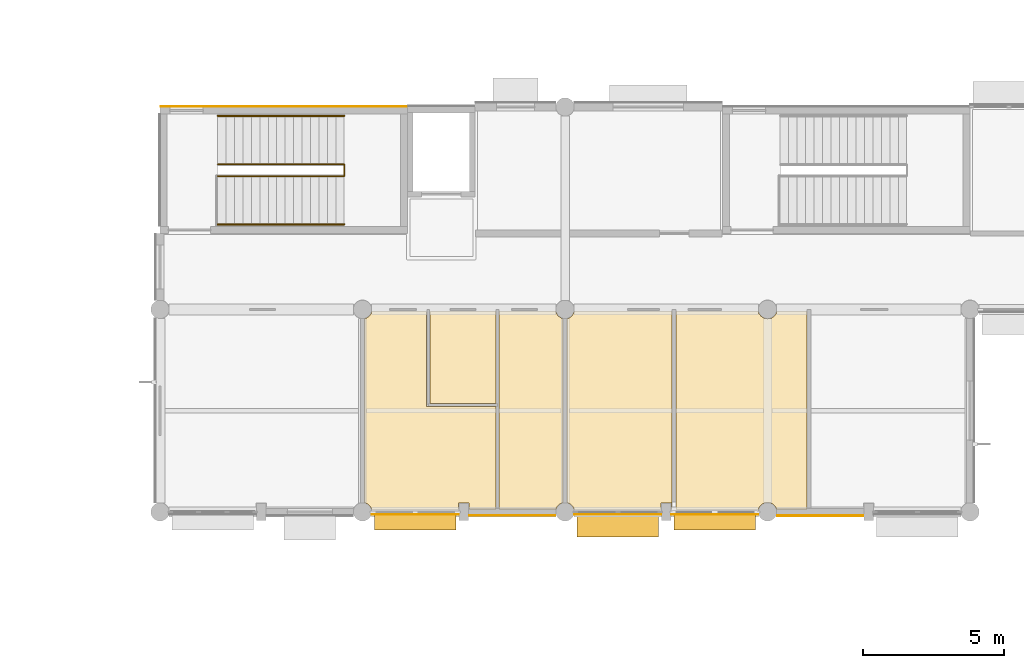
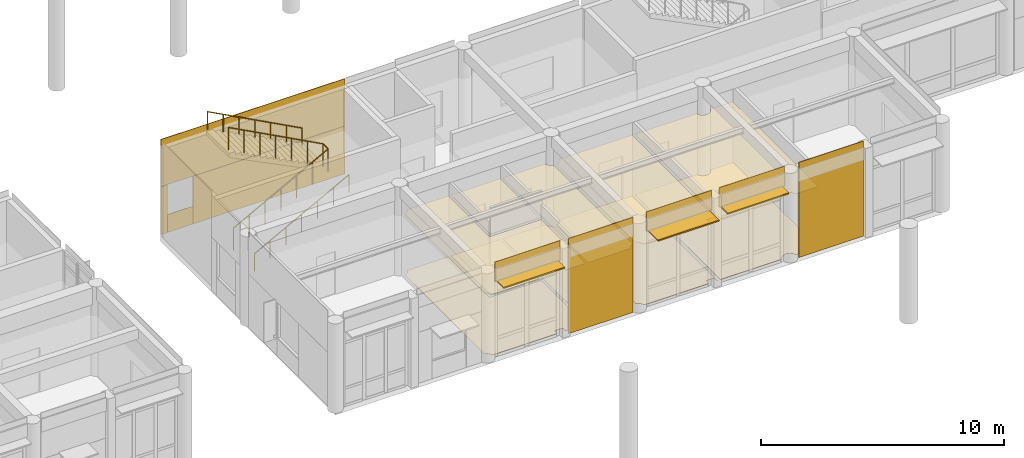
# One storey, part 74 of 92: 19 coverings, 3 railings, 3 shading devices.
"""IFC4 building model written with IfcOpenShell, lengths in metres."""

from ifc_helpers import new_model, si_unit, direction, frame, origin, origin_2d, place, context, subcontext, project, spatial, polyline, rectangle, circle, outline, extrude, material, layer, layer_set, type_object, element, save


model = new_model("IFC4")

# Units and contexts
model_context = context("Model", 3, precision=1e-05, world=origin(), true_north=direction((0.0, 1.0)))
body_context = subcontext(model_context, "Body", "Model", "MODEL_VIEW")
ifc_project = project(units=[si_unit("LENGTHUNIT", "METRE"), si_unit("AREAUNIT", "SQUARE_METRE"), si_unit("VOLUMEUNIT", "CUBIC_METRE"), si_unit("PLANEANGLEUNIT", "RADIAN"), si_unit("MASSUNIT", "GRAM", prefix="KILO")], contexts=[model_context])

# Site, building, storey
site_placement = place(None, origin())
site = spatial("IfcSite", under=ifc_project, at=site_placement, CompositionType="ELEMENT")
building_placement = place(site_placement, origin())
building = spatial("IfcBuilding", under=site, at=building_placement, Name="Namkhue Oval Health Centre", CompositionType="ELEMENT")
storey_placement = place(building_placement, frame((0.0, 0.0, 4.800048828125)))
storey = spatial("IfcBuildingStorey", under=building, at=storey_placement, Name="L01", CompositionType="ELEMENT", Elevation=4.800048828125)

# Coverings
ifc_material_1 = material(Name="Acoustic mineral-fibre cleanroom ceiling", Category="gypsum")
ifc_layer_1 = layer(ifc_material_1, 0.02001953125)
ifc_layer_set_1 = layer_set([ifc_layer_1], Name="Acoustic mineral-fibre cleanroom ceiling")
covering_type_1 = type_object("IfcCoveringType", Name="ACOUSTIC CLEANROOM CEILING 20", PredefinedType="CEILING", material=ifc_layer_set_1)
covering_1_placement = place(storey_placement, frame((0.0, 0.0, 3.050048828125)))
element("IfcCovering", 1, at=covering_1_placement, inside=storey, type_object=covering_type_1, Name="Acoustic Ceiling L01-502 Oral Surgery Clean Utility", PredefinedType="CEILING", context=body_context, shape_type="SweptSolid", body=[
    extrude(outline(polyline([(103.080078125, 21.52001953125), (103.080078125, 18.139892578125), (105.5400390625, 18.139892578125), (105.5400390625, 14.485107421875), (104.5849609375, 14.485107421875), (104.5849609375, 14.7099609375), (104.215087890625, 14.7099609375), (104.215087890625, 14.485107421875), (101.123779296875, 14.485107421875), (101.090087890625, 14.5673828125), (101.036865234375, 14.636962890625), (100.967529296875, 14.690185546875), (100.88671875, 14.7236328125), (100.8701171875, 14.725830078125), (100.8701171875, 21.274169921875), (100.88671875, 21.2763671875), (100.967529296875, 21.309814453125), (101.036865234375, 21.363037109375), (101.090087890625, 21.4326171875), (101.12451171875, 21.52001953125), (103.080078125, 21.52001953125)])), origin(), (0.0, 0.0, 1.0), 0.02001953125),
])
covering_2_placement = place(storey_placement, frame((0.0, 0.0, 3.050048828125)))
element("IfcCovering", 2, at=covering_2_placement, inside=storey, type_object=covering_type_1, Name="Acoustic Ceiling L01-503 Accessible WC", PredefinedType="CEILING", context=body_context, shape_type="SweptSolid", body=[
    extrude(outline(polyline([(103.199951171875, 18.260009765625), (103.199951171875, 21.52001953125), (105.5400390625, 21.52001953125), (105.5400390625, 18.260009765625), (103.199951171875, 18.260009765625)])), origin(), (0.0, 0.0, 1.0), 0.02001953125),
])
covering_3_placement = place(storey_placement, frame((0.0, 0.0, 3.050048828125)))
element("IfcCovering", 3, at=covering_3_placement, inside=storey, type_object=covering_type_1, Name="Acoustic Ceiling L01-504 Staff Washroom", PredefinedType="CEILING", context=body_context, shape_type="SweptSolid", body=[
    extrude(outline(polyline([(105.659912109375, 14.485107421875), (105.659912109375, 21.52001953125), (107.675537109375, 21.52001953125), (107.7099609375, 21.4326171875), (107.76318359375, 21.363037109375), (107.83251953125, 21.309814453125), (107.913330078125, 21.2763671875), (107.929931640625, 21.274169921875), (107.929931640625, 14.725830078125), (107.913330078125, 14.7236328125), (107.83251953125, 14.690185546875), (107.76318359375, 14.636962890625), (107.7099609375, 14.5673828125), (107.67626953125, 14.485107421875), (105.659912109375, 14.485107421875)])), origin(), (0.0, 0.0, 1.0), 0.02001953125),
])
covering_4_placement = place(storey_placement, frame((0.0, 0.0, 3.050048828125)))
element("IfcCovering", 4, at=covering_4_placement, inside=storey, type_object=covering_type_1, Name="Acoustic Ceiling L01-505 Dental Laboratory Room", PredefinedType="CEILING", context=body_context, shape_type="SweptSolid", body=[
    extrude(outline(polyline([(111.784912109375, 14.485107421875), (111.784912109375, 14.7099609375), (111.4150390625, 14.7099609375), (111.4150390625, 14.485107421875), (108.32373046875, 14.485107421875), (108.2900390625, 14.5673828125), (108.23681640625, 14.636962890625), (108.16748046875, 14.690185546875), (108.086669921875, 14.7236328125), (108.070068359375, 14.725830078125), (108.070068359375, 21.274169921875), (108.086669921875, 21.2763671875), (108.16748046875, 21.309814453125), (108.23681640625, 21.363037109375), (108.2900390625, 21.4326171875), (108.324462890625, 21.52001953125), (111.805908203125, 21.52001953125), (111.805908203125, 14.485107421875), (111.784912109375, 14.485107421875)])), origin(), (0.0, 0.0, 1.0), 0.02001953125),
])
covering_5_placement = place(storey_placement, frame((0.0, 0.0, 3.050048828125)))
element("IfcCovering", 5, at=covering_5_placement, inside=storey, type_object=covering_type_1, Name="Acoustic Ceiling L01-506 Prosthodontics Dental Clinic", PredefinedType="CEILING", context=body_context, shape_type="SweptSolid", body=[
    extrude(outline(polyline([(115.523681640625, 14.485107421875), (115.489990234375, 14.5673828125), (115.43701171875, 14.636962890625), (115.367431640625, 14.690185546875), (115.28662109375, 14.7236328125), (115.199951171875, 14.735107421875), (115.11328125, 14.7236328125), (115.032470703125, 14.690185546875), (114.963134765625, 14.636962890625), (114.909912109375, 14.5673828125), (114.876220703125, 14.485107421875), (111.946044921875, 14.485107421875), (111.946044921875, 21.52001953125), (114.87548828125, 21.52001953125), (114.909912109375, 21.4326171875), (114.963134765625, 21.363037109375), (115.032470703125, 21.309814453125), (115.11328125, 21.2763671875), (115.199951171875, 21.264892578125), (115.28662109375, 21.2763671875), (115.367431640625, 21.309814453125), (115.43701171875, 21.363037109375), (115.489990234375, 21.4326171875), (115.5244140625, 21.52001953125), (116.60498046875, 21.52001953125), (116.60498046875, 14.485107421875), (115.523681640625, 14.485107421875)])), origin(), (0.0, 0.0, 1.0), 0.02001953125),
])
ifc_material_2 = material(Name="Homogeneous anti-bacterial clinical vinyl flooring", Category="plastic")
ifc_layer_2 = layer(ifc_material_2, 0.014892578125)
ifc_layer_set_2 = layer_set([ifc_layer_2], Name="Homogeneous anti-bacterial clinical vinyl flooring")
covering_type_2 = type_object("IfcCoveringType", Name="CLINICAL ANTIBACTERIAL VINYL FLOORING 15", PredefinedType="FLOORING", material=ifc_layer_set_2)
covering_6_placement = place(storey_placement, origin())
element("IfcCovering", 6, at=covering_6_placement, inside=storey, type_object=covering_type_2, Name="Clinical Flooring L01-502 Oral Surgery Clean Utility", PredefinedType="FLOORING", context=body_context, shape_type="SweptSolid", body=[
    extrude(outline(polyline([(103.080078125, 21.52001953125), (103.080078125, 18.139892578125), (105.5400390625, 18.139892578125), (105.5400390625, 14.485107421875), (104.5849609375, 14.485107421875), (104.5849609375, 14.7099609375), (104.215087890625, 14.7099609375), (104.215087890625, 14.485107421875), (101.123779296875, 14.485107421875), (101.090087890625, 14.5673828125), (101.036865234375, 14.636962890625), (100.967529296875, 14.690185546875), (100.88671875, 14.7236328125), (100.8701171875, 14.725830078125), (100.8701171875, 21.274169921875), (100.88671875, 21.2763671875), (100.967529296875, 21.309814453125), (101.036865234375, 21.363037109375), (101.090087890625, 21.4326171875), (101.12451171875, 21.52001953125), (103.080078125, 21.52001953125)])), origin(), (0.0, 0.0, 1.0), 0.014892578125),
])
covering_7_placement = place(storey_placement, origin())
element("IfcCovering", 7, at=covering_7_placement, inside=storey, type_object=covering_type_2, Name="Clinical Flooring L01-503 Accessible WC", PredefinedType="FLOORING", context=body_context, shape_type="SweptSolid", body=[
    extrude(outline(polyline([(103.199951171875, 18.260009765625), (103.199951171875, 21.52001953125), (105.5400390625, 21.52001953125), (105.5400390625, 18.260009765625), (103.199951171875, 18.260009765625)])), origin(), (0.0, 0.0, 1.0), 0.014892578125),
])
covering_8_placement = place(storey_placement, origin())
element("IfcCovering", 8, at=covering_8_placement, inside=storey, type_object=covering_type_2, Name="Clinical Flooring L01-504 Staff Washroom", PredefinedType="FLOORING", context=body_context, shape_type="SweptSolid", body=[
    extrude(outline(polyline([(105.659912109375, 14.485107421875), (105.659912109375, 21.52001953125), (107.675537109375, 21.52001953125), (107.7099609375, 21.4326171875), (107.76318359375, 21.363037109375), (107.83251953125, 21.309814453125), (107.913330078125, 21.2763671875), (107.929931640625, 21.274169921875), (107.929931640625, 14.725830078125), (107.913330078125, 14.7236328125), (107.83251953125, 14.690185546875), (107.76318359375, 14.636962890625), (107.7099609375, 14.5673828125), (107.67626953125, 14.485107421875), (105.659912109375, 14.485107421875)])), origin(), (0.0, 0.0, 1.0), 0.014892578125),
])
covering_9_placement = place(storey_placement, origin())
element("IfcCovering", 9, at=covering_9_placement, inside=storey, type_object=covering_type_2, Name="Clinical Flooring L01-505 Dental Laboratory Room", PredefinedType="FLOORING", context=body_context, shape_type="SweptSolid", body=[
    extrude(outline(polyline([(111.784912109375, 14.485107421875), (111.784912109375, 14.7099609375), (111.4150390625, 14.7099609375), (111.4150390625, 14.485107421875), (108.32373046875, 14.485107421875), (108.2900390625, 14.5673828125), (108.23681640625, 14.636962890625), (108.16748046875, 14.690185546875), (108.086669921875, 14.7236328125), (108.070068359375, 14.725830078125), (108.070068359375, 21.274169921875), (108.086669921875, 21.2763671875), (108.16748046875, 21.309814453125), (108.23681640625, 21.363037109375), (108.2900390625, 21.4326171875), (108.324462890625, 21.52001953125), (111.805908203125, 21.52001953125), (111.805908203125, 14.485107421875), (111.784912109375, 14.485107421875)])), origin(), (0.0, 0.0, 1.0), 0.014892578125),
])
covering_10_placement = place(storey_placement, origin())
element("IfcCovering", 10, at=covering_10_placement, inside=storey, type_object=covering_type_2, Name="Clinical Flooring L01-506 Prosthodontics Dental Clinic", PredefinedType="FLOORING", context=body_context, shape_type="SweptSolid", body=[
    extrude(outline(polyline([(115.523681640625, 14.485107421875), (115.489990234375, 14.5673828125), (115.43701171875, 14.636962890625), (115.367431640625, 14.690185546875), (115.28662109375, 14.7236328125), (115.199951171875, 14.735107421875), (115.11328125, 14.7236328125), (115.032470703125, 14.690185546875), (114.963134765625, 14.636962890625), (114.909912109375, 14.5673828125), (114.876220703125, 14.485107421875), (111.946044921875, 14.485107421875), (111.946044921875, 21.52001953125), (114.87548828125, 21.52001953125), (114.909912109375, 21.4326171875), (114.963134765625, 21.363037109375), (115.032470703125, 21.309814453125), (115.11328125, 21.2763671875), (115.199951171875, 21.264892578125), (115.28662109375, 21.2763671875), (115.367431640625, 21.309814453125), (115.43701171875, 21.363037109375), (115.489990234375, 21.4326171875), (115.5244140625, 21.52001953125), (116.60498046875, 21.52001953125), (116.60498046875, 14.485107421875), (115.523681640625, 14.485107421875)])), origin(), (0.0, 0.0, 1.0), 0.014892578125),
])

# Railings
ifc_material_3 = material(Name="Brushed stainless steel 316L balustrade with laminated glass infill", Category="steel")
railing_type_1 = type_object("IfcRailingType", Name="INTERIOR BALUSTRADE GUARD 1150", PredefinedType="BALUSTRADE", material=ifc_material_3)
railing_1_placement = place(storey_placement, frame((95.64990234375, 26.340087890625, 0.0)))
element("IfcRailing", 11, at=railing_1_placement, inside=storey, type_object=railing_type_1, Name="Stair ST-09 L01 Inner Well Guard", PredefinedType="BALUSTRADE", context=body_context, shape_type="SweptSolid", body=[
    extrude(circle(Radius=0.02392578125, at=origin_2d()), frame((0.0, 0.0, 1.1259765625), z_axis=(0.882360891967, 0.0, 0.470573327259), x_axis=(0.0, 1.0, 0.0)), (0.0, 0.0, 1.0), 5.099853515625),
    extrude(circle(Radius=0.02392578125, at=origin_2d()), frame((4.5, 0.0, 3.52587890625), z_axis=(0.0, 1.0, 0.0), x_axis=(-1.0, 0.0, 0.0)), (0.0, 0.0, 1.0), 0.419921875),
    extrude(circle(Radius=0.02392578125, at=origin_2d()), frame((4.5, 0.419921875, 3.52587890625), z_axis=(-0.882341014787, 0.0, 0.470610596591), x_axis=(0.0, -1.0, 0.0)), (0.0, 0.0, 1.0), 5.10009765625),
    extrude(circle(Radius=0.02099609375, at=origin_2d()), origin(), (0.0, 0.0, 1.0), 1.101806640625),
    extrude(circle(Radius=0.02099609375, at=origin_2d()), frame((0.75, 0.0, 0.39990234375)), (0.0, 0.0, 1.0), 1.101806640625),
    extrude(circle(Radius=0.02099609375, at=origin_2d()), frame((1.5, 0.0, 0.800048828125)), (0.0, 0.0, 1.0), 1.101806640625),
    extrude(circle(Radius=0.02099609375, at=origin_2d()), frame((2.25, 0.0, 1.199951171875)), (0.0, 0.0, 1.0), 1.101806640625),
    extrude(circle(Radius=0.02099609375, at=origin_2d()), frame((3.0, 0.0, 1.599853515625)), (0.0, 0.0, 1.0), 1.101806640625),
    extrude(circle(Radius=0.02099609375, at=origin_2d()), frame((3.75, 0.0, 2.0)), (0.0, 0.0, 1.0), 1.101806640625),
    extrude(circle(Radius=0.02099609375, at=origin_2d()), frame((4.5, 0.0, 2.39990234375)), (0.0, 0.0, 1.0), 1.101806640625),
    extrude(circle(Radius=0.02099609375, at=origin_2d()), frame((4.5, 0.419921875, 2.39990234375)), (0.0, 0.0, 1.0), 1.101806640625),
    extrude(circle(Radius=0.02099609375, at=origin_2d()), frame((3.75, 0.419921875, 2.7998046875)), (0.0, 0.0, 1.0), 1.101806640625),
    extrude(circle(Radius=0.02099609375, at=origin_2d()), frame((3.0, 0.419921875, 3.199951171875)), (0.0, 0.0, 1.0), 1.101806640625),
    extrude(circle(Radius=0.02099609375, at=origin_2d()), frame((2.25, 0.419921875, 3.60009765625)), (0.0, 0.0, 1.0), 1.101806640625),
    extrude(circle(Radius=0.02099609375, at=origin_2d()), frame((1.5, 0.419921875, 4.0)), (0.0, 0.0, 1.0), 1.101806640625),
    extrude(circle(Radius=0.02099609375, at=origin_2d()), frame((0.75, 0.419921875, 4.39990234375)), (0.0, 0.0, 1.0), 1.101806640625),
    extrude(circle(Radius=0.02099609375, at=origin_2d()), frame((0.0, 0.419921875, 4.800048828125)), (0.0, 0.0, 1.0), 1.101806640625),
])
ifc_material_4 = material(Name="Brushed stainless steel 304 tubular handrail", Category="steel")
railing_type_2 = type_object("IfcRailingType", Name="INTERIOR STAIR HANDRAIL 900", PredefinedType="HANDRAIL", material=ifc_material_4)
railing_2_placement = place(storey_placement, frame((95.64990234375, 24.6201171875, 0.0)))
element("IfcRailing", 12, at=railing_2_placement, inside=storey, type_object=railing_type_2, Name="Stair ST-09 L01 Flight 1 Handrail", PredefinedType="HANDRAIL", context=body_context, shape_type="SweptSolid", body=[
    extrude(circle(Radius=0.02392578125, at=origin_2d()), frame((0.0, 0.0, 0.8759765625), z_axis=(0.882360891967, 0.0, 0.470573327259), x_axis=(0.0, 1.0, 0.0)), (0.0, 0.0, 1.0), 5.099853515625),
    extrude(circle(Radius=0.02099609375, at=origin_2d()), origin(), (0.0, 0.0, 1.0), 0.851806640625),
    extrude(circle(Radius=0.02099609375, at=origin_2d()), frame((0.75, 0.0, 0.39990234375)), (0.0, 0.0, 1.0), 0.851806640625),
    extrude(circle(Radius=0.02099609375, at=origin_2d()), frame((1.5, 0.0, 0.800048828125)), (0.0, 0.0, 1.0), 0.851806640625),
    extrude(circle(Radius=0.02099609375, at=origin_2d()), frame((2.25, 0.0, 1.199951171875)), (0.0, 0.0, 1.0), 0.851806640625),
    extrude(circle(Radius=0.02099609375, at=origin_2d()), frame((3.0, 0.0, 1.599853515625)), (0.0, 0.0, 1.0), 0.851806640625),
    extrude(circle(Radius=0.02099609375, at=origin_2d()), frame((3.75, 0.0, 2.0)), (0.0, 0.0, 1.0), 0.851806640625),
    extrude(circle(Radius=0.02099609375, at=origin_2d()), frame((4.5, 0.0, 2.39990234375)), (0.0, 0.0, 1.0), 0.851806640625),
])
railing_3_placement = place(storey_placement, frame((100.14990234375, 28.47998046875, 2.39990234375)))
element("IfcRailing", 13, at=railing_3_placement, inside=storey, type_object=railing_type_2, Name="Stair ST-09 L01 Flight 2 Handrail", PredefinedType="HANDRAIL", context=body_context, shape_type="SweptSolid", body=[
    extrude(circle(Radius=0.02392578125, at=origin_2d()), frame((0.0, 0.0, 0.8759765625), z_axis=(-0.882341014787, 0.0, 0.470610596591), x_axis=(0.0, -1.0, 0.0)), (0.0, 0.0, 1.0), 5.10009765625),
    extrude(circle(Radius=0.02099609375, at=origin_2d()), origin(), (0.0, 0.0, 1.0), 0.851806640625),
    extrude(circle(Radius=0.02099609375, at=origin_2d()), frame((-0.75, 0.0, 0.39990234375)), (0.0, 0.0, 1.0), 0.851806640625),
    extrude(circle(Radius=0.02099609375, at=origin_2d()), frame((-1.5, 0.0, 0.800048828125)), (0.0, 0.0, 1.0), 0.851806640625),
    extrude(circle(Radius=0.02099609375, at=origin_2d()), frame((-2.25, 0.0, 1.2001953125)), (0.0, 0.0, 1.0), 0.851806640625),
    extrude(circle(Radius=0.02099609375, at=origin_2d()), frame((-3.0, 0.0, 1.60009765625)), (0.0, 0.0, 1.0), 0.851806640625),
    extrude(circle(Radius=0.02099609375, at=origin_2d()), frame((-3.75, 0.0, 2.0)), (0.0, 0.0, 1.0), 0.851806640625),
    extrude(circle(Radius=0.02099609375, at=origin_2d()), frame((-4.5, 0.0, 2.400146484375)), (0.0, 0.0, 1.0), 0.851806640625),
])

# Shading devices
ifc_material_5 = material(Name="Anodised aluminium EN AW-6063 T6", Category="aluminium")
ifc_layer_3 = layer(ifc_material_5, 0.06005859375)
ifc_layer_set_3 = layer_set([ifc_layer_3], Name="Anodised aluminium EN AW-6063 T6")
shading_device_type_1 = type_object("IfcShadingDeviceType", Name="MONSOON SUN LOUVRE 900", PredefinedType="JALOUSIE", material=ifc_layer_set_3)
shading_device_placement = place(storey_placement, frame((109.87451171875, 13.949951171875, 3.77001953125), z_axis=(0.0, 0.0, 1.0), x_axis=(1.0, 0.0, 0.0)))
element("IfcShadingDevice", 14, at=shading_device_placement, inside=storey, type_object=shading_device_type_1, Name="Volume V5 L01 Horizontal Monsoon Sun Louvre 254", PredefinedType="JALOUSIE", context=body_context, shape_type="SweptSolid", body=[
    extrude(rectangle(XDim=2.908935546875, YDim=0.89990234375, at=origin_2d()), origin(), (0.0, 0.0, 1.0), 0.06005859375),
])
ifc_layer_4 = layer(ifc_material_5, 0.050048828125)
ifc_layer_set_4 = layer_set([ifc_layer_4], Name="Anodised aluminium EN AW-6063 T6")
shading_device_type_2 = type_object("IfcShadingDeviceType", Name="STORM SHUTTER LOUVRE 650", PredefinedType="SHUTTER", material=ifc_layer_set_4)
for number, where, z_axis, x_axis, name in (
    (15, (102.674560546875, 14.074951171875, 3.77001953125), (0.0, 0.0, 1.0), (1.0, 0.0, 0.0), "Volume V5 L01 Horizontal Monsoon Sun Louvre 253"),
    (16, (113.325439453125, 14.074951171875, 3.77001953125), (0.0, 0.0, 1.0), (1.0, 0.0, 0.0), "Volume V5 L01 Horizontal Monsoon Sun Louvre 255"),
):
    element("IfcShadingDevice", number, at=place(storey_placement, frame(where, z_axis=z_axis, x_axis=x_axis)), inside=storey, type_object=shading_device_type_2, Name=name, PredefinedType="SHUTTER", context=body_context, shape_type="SweptSolid", body=[
        extrude(rectangle(XDim=2.908935546875, YDim=0.64990234375, at=origin_2d()), origin(), (0.0, 0.0, 1.0), 0.06005859375),
    ])

# Coverings
ifc_material_6 = material(Name="White glass-fibre reinforced concrete GRC rainscreen cladding", Category="concrete")
ifc_layer_5 = layer(ifc_material_6, 0.02490234375)
ifc_layer_set_5 = layer_set([ifc_layer_5], Name="White glass-fibre reinforced concrete GRC rainscreen cladding")
covering_type_3 = type_object("IfcCoveringType", Name="WHITE GRC RAINSCREEN CLADDING 25", PredefinedType="CLADDING", material=ifc_layer_set_5)
covering_11_placement = place(storey_placement, frame((102.674560546875, 14.3115234375, 3.824951171875), z_axis=(0.0, 0.0, 1.0), x_axis=(1.0, 0.0, 0.0)))
element("IfcCovering", 17, at=covering_11_placement, inside=storey, type_object=covering_type_3, Name="Volume V5 L01 Curtain Wall Spandrel Cladding 188", PredefinedType="CLADDING", context=body_context, shape_type="SweptSolid", body=[
    extrude(rectangle(XDim=3.09912109375, YDim=0.02490234375, at=origin_2d()), origin(), (0.0, 0.0, 1.0), 0.97509765625),
])
covering_12_placement = place(storey_placement, frame((106.12548828125, 14.26806640625, 0.009765625), z_axis=(0.0, 0.0, 1.0), x_axis=(1.0, 0.0, 0.0)))
element("IfcCovering", 18, at=covering_12_placement, inside=storey, type_object=covering_type_3, Name="Volume V5 L01 Facade 119 White GRC Cladding 1", PredefinedType="CLADDING", context=body_context, shape_type="SweptSolid", body=[
    extrude(rectangle(XDim=3.069091796875, YDim=0.02490234375, at=origin_2d()), origin(), (0.0, 0.0, 1.0), 4.780029296875),
])
for number, where, z_axis, x_axis, name in (
    (19, (109.87451171875, 14.3115234375, 3.824951171875), (0.0, 0.0, 1.0), (1.0, 0.0, 0.0), "Volume V5 L01 Curtain Wall Spandrel Cladding 189"),
    (20, (113.325439453125, 14.3115234375, 3.824951171875), (0.0, 0.0, 1.0), (1.0, 0.0, 0.0), "Volume V5 L01 Curtain Wall Spandrel Cladding 190"),
):
    element("IfcCovering", number, at=place(storey_placement, frame(where, z_axis=z_axis, x_axis=x_axis)), inside=storey, type_object=covering_type_3, Name=name, PredefinedType="CLADDING", context=body_context, shape_type="SweptSolid", body=[
        extrude(rectangle(XDim=3.09912109375, YDim=0.02490234375, at=origin_2d()), origin(), (0.0, 0.0, 1.0), 0.97509765625),
    ])
covering_13_placement = place(storey_placement, frame((117.074462890625, 14.262939453125, 0.009765625), z_axis=(0.0, 0.0, 1.0), x_axis=(1.0, 0.0, 0.0)))
element("IfcCovering", 21, at=covering_13_placement, inside=storey, type_object=covering_type_3, Name="Volume V5 L01 Facade 120 White GRC Cladding 1", PredefinedType="CLADDING", context=body_context, shape_type="SweptSolid", body=[
    extrude(rectangle(XDim=3.069091796875, YDim=0.02490234375, at=origin_2d()), origin(), (0.0, 0.0, 1.0), 4.780029296875),
])
covering_14_placement = place(storey_placement, frame((98.0, 28.81201171875, 2.4150390625), z_axis=(0.0, 0.0, 1.0), x_axis=(-1.0, 0.0, 0.0)))
element("IfcCovering", 22, at=covering_14_placement, inside=storey, type_object=covering_type_3, Name="Core SC-09 L01 Core N White GRC Cladding 1", PredefinedType="CLADDING", context=body_context, shape_type="SweptSolid", body=[
    extrude(rectangle(XDim=8.760009765625, YDim=0.02490234375, at=origin_2d()), origin(), (0.0, 0.0, 1.0), 2.375),
])
covering_15_placement = place(storey_placement, frame((98.762451171875, 28.81201171875, 0.010009765625), z_axis=(0.0, 0.0, 1.0), x_axis=(-1.0, 0.0, 0.0)))
element("IfcCovering", 23, at=covering_15_placement, inside=storey, type_object=covering_type_3, Name="Core SC-09 L01 Core N White GRC Cladding 2", PredefinedType="CLADDING", context=body_context, shape_type="SweptSolid", body=[
    extrude(rectangle(XDim=7.235107421875, YDim=0.02490234375, at=origin_2d()), origin(), (0.0, 0.0, 1.0), 2.39990234375),
])
covering_16_placement = place(storey_placement, frame((94.5400390625, 28.81201171875, 0.010009765625), z_axis=(0.0, 0.0, 1.0), x_axis=(-1.0, 0.0, 0.0)))
element("IfcCovering", 24, at=covering_16_placement, inside=storey, type_object=covering_type_3, Name="Core SC-09 L01 Core N White GRC Cladding 3", PredefinedType="CLADDING", context=body_context, shape_type="SweptSolid", body=[
    extrude(rectangle(XDim=1.199951171875, YDim=0.02490234375, at=origin_2d()), origin(), (0.0, 0.0, 1.0), 0.89501953125),
])
covering_17_placement = place(storey_placement, frame((93.777587890625, 28.81201171875, 0.010009765625), z_axis=(0.0, 0.0, 1.0), x_axis=(-1.0, 0.0, 0.0)))
element("IfcCovering", 25, at=covering_17_placement, inside=storey, type_object=covering_type_3, Name="Core SC-09 L01 Core N White GRC Cladding 4", PredefinedType="CLADDING", context=body_context, shape_type="SweptSolid", body=[
    extrude(rectangle(XDim=0.31494140625, YDim=0.02490234375, at=origin_2d()), origin(), (0.0, 0.0, 1.0), 2.39990234375),
])

save(model, "model.ifc")
